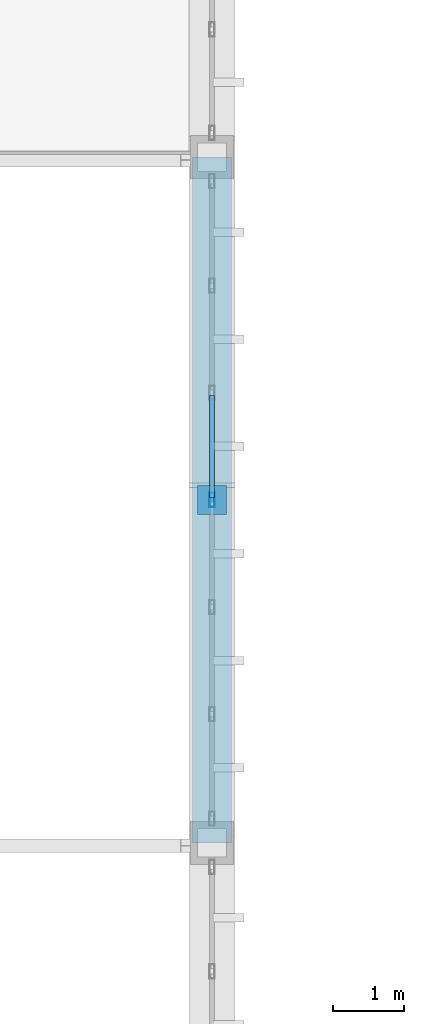
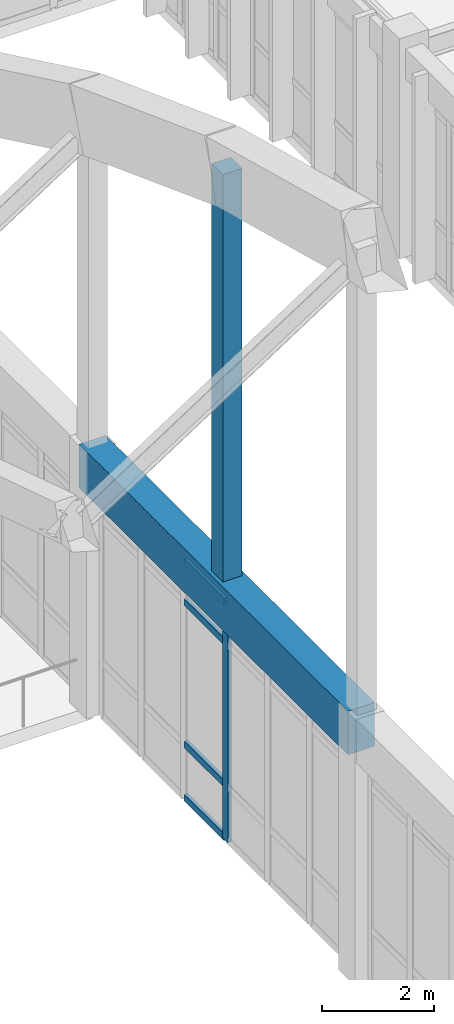
# One storey, part 154 of 236: 6 members, 1 beam, 1 element without a shape of its own.
"""IFC4 building model written with IfcOpenShell, lengths in metres."""

from ifc_helpers import new_model, si_unit, direction, frame, origin, origin_2d, place, context, subcontext, project, spatial, rectangle, hollow_rectangle, extrude, material, layer, layer_set, material_profile, profile_set, type_object, element, aggregate, save


model = new_model("IFC4")

# Units and contexts
model_context = context("Model", 3, precision=1e-05, world=origin(), true_north=direction((0.0, 1.0)))
body_context = subcontext(model_context, "Body", "Model", "MODEL_VIEW")
ifc_project = project(units=[si_unit("LENGTHUNIT", "METRE"), si_unit("AREAUNIT", "SQUARE_METRE"), si_unit("VOLUMEUNIT", "CUBIC_METRE"), si_unit("PLANEANGLEUNIT", "RADIAN"), si_unit("MASSUNIT", "GRAM", prefix="KILO")], contexts=[model_context])

# Site, building, storey
site_placement = place(None, origin())
site = spatial("IfcSite", under=ifc_project, at=site_placement, CompositionType="ELEMENT")
building_placement = place(site_placement, origin())
building = spatial("IfcBuilding", under=site, at=building_placement, Name="Pandanus Reach Market Hall", CompositionType="ELEMENT")
storey_placement = place(building_placement, frame((0.0, 0.0, 5.39990234375)))
storey = spatial("IfcBuildingStorey", under=building, at=storey_placement, Name="L01", CompositionType="ELEMENT", Elevation=5.39990234375)

# Member
ifc_material_1 = material(Name="Concrete N50 (50 MPa)", Category="concrete")
ifc_material_profile_1 = material_profile(ifc_material_1, rectangle(XDim=0.39990234375, YDim=0.39990234375, at=origin_2d()), Name="RC400x400", Category="LoadBearing")
ifc_profile_set_1 = profile_set([ifc_material_profile_1], Name="Concrete N50 (50 MPa)")
member_type_1 = type_object("IfcMemberType", Name="AR-WEB400-E", PredefinedType="STRUT", material=ifc_profile_set_1)
member_1_placement = place(storey_placement, frame((132.0, 72.0, 5.3251953125), z_axis=(0.0, 0.0, 1.0), x_axis=(1.0, 0.0, 0.0)))
element("IfcMember", 1, at=member_1_placement, inside=storey, type_object=member_type_1, Name="Arch truss vertical web strut A8.9", PredefinedType="STRUT", context=body_context, shape_type="SweptSolid", body=[
    extrude(rectangle(XDim=0.39990234375, YDim=0.39990234375, at=origin_2d()), origin(), (0.0, 0.0, 1.0), 9.35498046875),
])

# Beam
ifc_material_profile_2 = material_profile(ifc_material_1, rectangle(XDim=0.550048828125, YDim=0.949951171875, at=origin_2d()), Name="RC550x950", Category="LoadBearing")
ifc_profile_set_2 = profile_set([ifc_material_profile_2], Name="Concrete N50 (50 MPa)")
beam_type = type_object("IfcBeamType", Name="BM-RC550-E", PredefinedType="BEAM", material=ifc_profile_set_2)
beam_placement = place(storey_placement, frame((132.0, 67.199951171875, 5.3251953125), z_axis=(0.0, 1.0, 0.0), x_axis=(-1.0, 0.0, 0.0)))
element("IfcBeam", 2, at=beam_placement, inside=storey, type_object=beam_type, Name="Parabolic arch tie girder A8.5", PredefinedType="BEAM", context=body_context, shape_type="SweptSolid", body=[
    extrude(rectangle(XDim=0.550048828125, YDim=0.949951171875, at=origin_2d()), origin(), (0.0, 0.0, 1.0), 9.60009765625),
])

# Curtain wall, members
ifc_material_2 = material(Name="Bronze anodised aluminium and low-E glass", Category="aluminium")
ifc_layer = layer(ifc_material_2, 0.199951171875, Name="CW-05")
ifc_layer_set = layer_set([ifc_layer], Name="Bronze anodised aluminium and low-E glass")
curtain_wall_type = type_object("IfcCurtainWallType", Name="CW-05", PredefinedType="NOTDEFINED", material=ifc_layer_set)
curtain_wall_placement = place(storey_placement, origin())
curtain_wall = element("IfcCurtainWall", 3, at=curtain_wall_placement, inside=storey, type_object=curtain_wall_type, Name="Glazed curtain wall CW-05 CW-0033", PredefinedType="NOTDEFINED")
ifc_material_3 = material(Name="Bronze anodised aluminium", Category="aluminium")
ifc_material_profile_3 = material_profile(ifc_material_3, hollow_rectangle(XDim=0.074951171875, YDim=0.199951171875, WallThickness=0.00439453125, at=origin_2d()), Name="ALU75x200", Category="LoadBearing")
ifc_profile_set_3 = profile_set([ifc_material_profile_3], Name="Bronze anodised aluminium")
member_type_2 = type_object("IfcMemberType", Name="CW-M2", PredefinedType="MULLION", material=ifc_profile_set_3)
member_2_placement = place(storey_placement, frame((132.0, 72.0, 0.0), z_axis=(0.0, 0.0, 1.0), x_axis=(-1.0, 0.0, 0.0)))
member_2 = element("IfcMember", 4, at=member_2_placement, type_object=member_type_2, Name="CW-05 mullion 4", PredefinedType="MULLION", context=body_context, shape_type="SweptSolid", body=[
    extrude(hollow_rectangle(XDim=0.074951171875, YDim=0.199951171875, WallThickness=0.00439453125, at=origin_2d()), origin(), (0.0, 0.0, 1.0), 5.2001953125),
])
ifc_material_profile_4 = material_profile(ifc_material_3, hollow_rectangle(XDim=0.074951171875, YDim=0.14990234375, WallThickness=0.00439453125, at=origin_2d()), Name="ALU75x150", Category="LoadBearing")
ifc_profile_set_4 = profile_set([ifc_material_profile_4], Name="Bronze anodised aluminium")
member_type_3 = type_object("IfcMemberType", Name="CW-T2", PredefinedType="USERDEFINED", material=ifc_profile_set_4)
member_3_placement = place(storey_placement, frame((132.0, 72.03759765625, 0.03759765625), z_axis=(0.0, 1.0, 0.0), x_axis=(-1.0, 0.0, 0.0)))
member_3 = element("IfcMember", 5, at=member_3_placement, type_object=member_type_3, Name="CW-05 transom 4.1", ObjectType="TRANSOM", PredefinedType="USERDEFINED", context=body_context, shape_type="SweptSolid", body=[
    extrude(hollow_rectangle(XDim=0.074951171875, YDim=0.14990234375, WallThickness=0.00439453125, at=origin_2d()), origin(), (0.0, 0.0, 1.0), 1.4248046875),
])
member_4_placement = place(storey_placement, frame((132.0, 72.03759765625, 1.2001953125), z_axis=(0.0, 1.0, 0.0), x_axis=(-1.0, 0.0, 0.0)))
member_4 = element("IfcMember", 6, at=member_4_placement, type_object=member_type_3, Name="CW-05 transom 4.2", ObjectType="TRANSOM", PredefinedType="USERDEFINED", context=body_context, shape_type="SweptSolid", body=[
    extrude(hollow_rectangle(XDim=0.074951171875, YDim=0.14990234375, WallThickness=0.00439453125, at=origin_2d()), origin(), (0.0, 0.0, 1.0), 1.4248046875),
])
member_5_placement = place(storey_placement, frame((132.0, 72.03759765625, 4.300048828125), z_axis=(0.0, 1.0, 0.0), x_axis=(-1.0, 0.0, 0.0)))
member_5 = element("IfcMember", 7, at=member_5_placement, type_object=member_type_3, Name="CW-05 transom 4.3", ObjectType="TRANSOM", PredefinedType="USERDEFINED", context=body_context, shape_type="SweptSolid", body=[
    extrude(hollow_rectangle(XDim=0.074951171875, YDim=0.14990234375, WallThickness=0.00439453125, at=origin_2d()), origin(), (0.0, 0.0, 1.0), 1.4248046875),
])
member_6_placement = place(storey_placement, frame((132.0, 72.03759765625, 5.16259765625), z_axis=(0.0, 1.0, 0.0), x_axis=(-1.0, 0.0, 0.0)))
member_6 = element("IfcMember", 8, at=member_6_placement, type_object=member_type_3, Name="CW-05 transom 4.4", ObjectType="TRANSOM", PredefinedType="USERDEFINED", context=body_context, shape_type="SweptSolid", body=[
    extrude(hollow_rectangle(XDim=0.074951171875, YDim=0.14990234375, WallThickness=0.00439453125, at=origin_2d()), origin(), (0.0, 0.0, 1.0), 1.4248046875),
])
aggregate(curtain_wall, [member_2, member_3, member_4, member_5, member_6])

save(model, "model.ifc")
